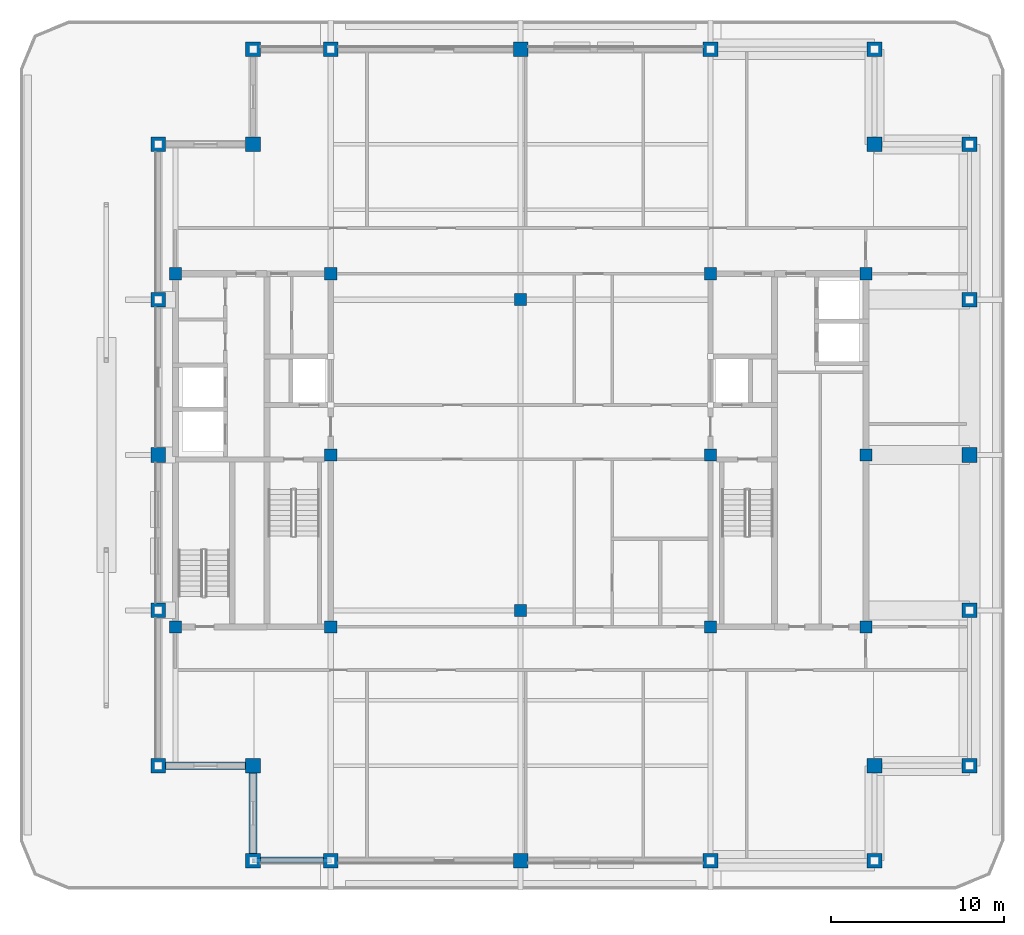
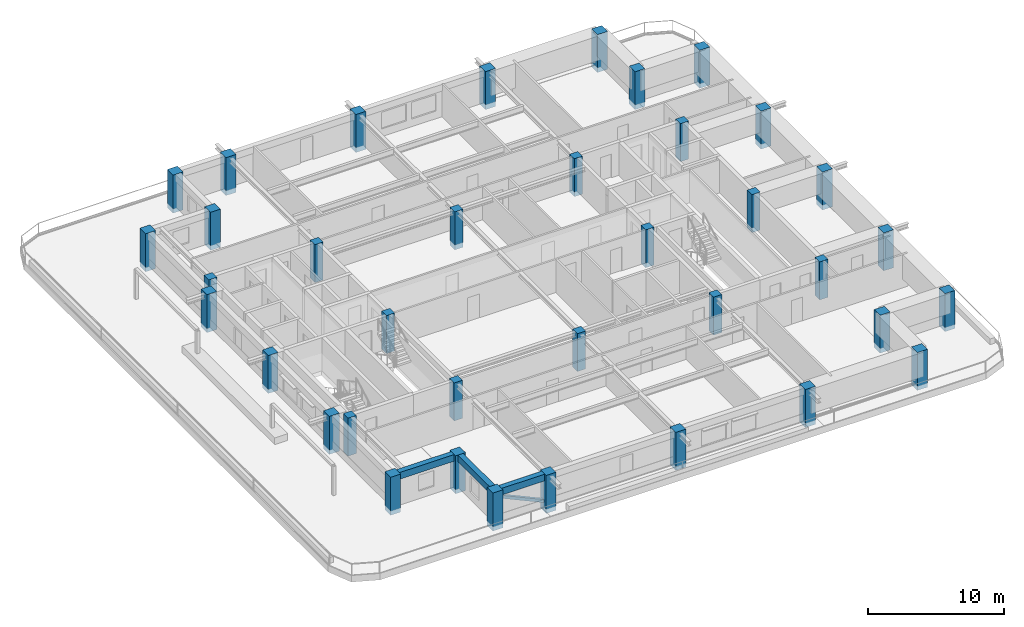
# One storey, part 1 of 14: 37 columns, 3 beams, 1 member.
"""IFC4 building model written with IfcOpenShell, lengths in metres."""

from ifc_helpers import new_model, si_unit, direction, frame, origin, origin_2d, place, context, subcontext, project, spatial, rectangle, hollow_rectangle, extrude, material, material_profile, profile_set, type_object, element, save


model = new_model("IFC4")

# Units and contexts
model_context = context("Model", 3, precision=1e-05, world=origin(), true_north=direction((0.0, 1.0)))
body_context = subcontext(model_context, "Body", "Model", "MODEL_VIEW")
ifc_project = project(units=[si_unit("LENGTHUNIT", "METRE"), si_unit("AREAUNIT", "SQUARE_METRE"), si_unit("VOLUMEUNIT", "CUBIC_METRE"), si_unit("PLANEANGLEUNIT", "RADIAN"), si_unit("MASSUNIT", "GRAM", prefix="KILO")], contexts=[model_context])

# Site, building, storey
site_placement = place(None, origin())
site = spatial("IfcSite", under=ifc_project, at=site_placement, CompositionType="ELEMENT")
building_placement = place(site_placement, origin())
building = spatial("IfcBuilding", under=site, at=building_placement, Name="Zulmaris Gate Convention Tower", CompositionType="ELEMENT")
storey_placement = place(building_placement, frame((0.0, 0.0, 226.820068359375)))
storey = spatial("IfcBuildingStorey", under=building, at=storey_placement, Name="L59", CompositionType="ELEMENT", Elevation=226.820068359375)

# Columns
ifc_material_1 = material(Name="Concrete C50/60", Category="concrete")
ifc_material_profile_1 = material_profile(ifc_material_1, rectangle(XDim=0.699951171875, YDim=0.699951171875, at=origin_2d()), Name="RC COL 700x700")
ifc_profile_set_1 = profile_set([ifc_material_profile_1], Name="Concrete C50/60")
column_type_1 = type_object("IfcColumnType", Name="COL-RC700", PredefinedType="COLUMN", material=ifc_profile_set_1)
for number, where, z_axis, x_axis, name in (
    (1, (-20.0, -9.949951171875, -0.425048828125), (0.0, 0.0, 1.0), (1.0, 0.0, 0.0), "L59 Column IN--20.00_-9.95"),
    (2, (-20.0, 10.5, -0.425048828125), (0.0, 0.0, 1.0), (1.0, 0.0, 0.0), "L59 Column IN--20.00_+10.50"),
    (3, (-11.0, -9.949951171875, -0.425048828125), (0.0, 0.0, 1.0), (1.0, 0.0, 0.0), "L59 Column IN--11.00_-9.95"),
    (4, (-11.0, 0.0, -0.425048828125), (0.0, 0.0, 1.0), (1.0, 0.0, 0.0), "L59 Column IN--11.00_+0.00"),
    (5, (-11.0, 10.5, -0.425048828125), (0.0, 0.0, 1.0), (1.0, 0.0, 0.0), "L59 Column IN--11.00_+10.50"),
    (6, (11.0, -9.949951171875, -0.425048828125), (0.0, 0.0, 1.0), (1.0, 0.0, 0.0), "L59 Column IN-+11.00_-9.95"),
    (7, (11.0, 0.0, -0.425048828125), (0.0, 0.0, 1.0), (1.0, 0.0, 0.0), "L59 Column IN-+11.00_+0.00"),
    (8, (11.0, 10.5, -0.425048828125), (0.0, 0.0, 1.0), (1.0, 0.0, 0.0), "L59 Column IN-+11.00_+10.50"),
    (9, (20.0, -9.949951171875, -0.425048828125), (0.0, 0.0, 1.0), (1.0, 0.0, 0.0), "L59 Column IN-+20.00_-9.95"),
    (10, (20.0, 10.5, -0.425048828125), (0.0, 0.0, 1.0), (1.0, 0.0, 0.0), "L59 Column IN-+20.00_+10.50"),
    (11, (0.0, -9.0, -0.425048828125), (0.0, 0.0, 1.0), (1.0, 0.0, 0.0), "L59 Column IN-+0.00_-9.00"),
    (12, (0.0, 9.0, -0.425048828125), (0.0, 0.0, 1.0), (1.0, 0.0, 0.0), "L59 Column IN-+0.00_+9.00"),
    (13, (20.0, 0.0, -0.425048828125), (0.0, 0.0, 1.0), (1.0, 0.0, 0.0), "L59 Column IN-+20.00_+0.00"),
):
    element("IfcColumn", number, at=place(storey_placement, frame(where, z_axis=z_axis, x_axis=x_axis)), inside=storey, type_object=column_type_1, Name=name, PredefinedType="COLUMN", context=body_context, shape_type="SweptSolid", body=[
        extrude(rectangle(XDim=0.699951171875, YDim=0.699951171875, at=origin_2d()), origin(), (0.0, 0.0, 1.0), 3.405029296875),
    ])
ifc_material_2 = material(Name="Concrete C60/75", Category="concrete")
ifc_material_profile_2 = material_profile(ifc_material_2, rectangle(XDim=0.85009765625, YDim=0.85009765625, at=origin_2d()), Name="RC COL 850x850")
ifc_profile_set_2 = profile_set([ifc_material_profile_2], Name="Concrete C60/75")
column_type_2 = type_object("IfcColumnType", Name="COL-RC850", PredefinedType="COLUMN", material=ifc_profile_set_2)
for number, where, z_axis, x_axis, name in (
    (14, (-15.5, -23.5, -0.425048828125), (0.0, 0.0, 1.0), (1.0, 0.0, 0.0), "L59 Column PT--15.50_-23.50"),
    (15, (-11.0, -23.5, -0.425048828125), (0.0, 0.0, 1.0), (1.0, 0.0, 0.0), "L59 Column PT--11.00_-23.50"),
    (16, (0.0, -23.5, -0.425048828125), (0.0, 0.0, 1.0), (1.0, 0.0, 0.0), "L59 Column PT-+0.00_-23.50"),
    (17, (11.0, -23.5, -0.425048828125), (0.0, 0.0, 1.0), (1.0, 0.0, 0.0), "L59 Column PT-+11.00_-23.50"),
    (18, (20.5, -23.5, -0.425048828125), (0.0, 0.0, 1.0), (1.0, 0.0, 0.0), "L59 Column PT-+20.50_-23.50"),
    (19, (-15.5, 23.5, -0.425048828125), (0.0, 0.0, 1.0), (1.0, 0.0, 0.0), "L59 Column PT--15.50_+23.50"),
    (20, (-11.0, 23.5, -0.425048828125), (0.0, 0.0, 1.0), (1.0, 0.0, 0.0), "L59 Column PT--11.00_+23.50"),
    (21, (0.0, 23.5, -0.425048828125), (0.0, 0.0, 1.0), (1.0, 0.0, 0.0), "L59 Column PT-+0.00_+23.50"),
    (22, (11.0, 23.5, -0.425048828125), (0.0, 0.0, 1.0), (1.0, 0.0, 0.0), "L59 Column PT-+11.00_+23.50"),
    (23, (20.5, 23.5, -0.425048828125), (0.0, 0.0, 1.0), (1.0, 0.0, 0.0), "L59 Column PT-+20.50_+23.50"),
    (24, (-21.0, -18.0, -0.425048828125), (0.0, 0.0, 1.0), (1.0, 0.0, 0.0), "L59 Column PT--21.00_-18.00"),
    (25, (-21.0, -9.0, -0.425048828125), (0.0, 0.0, 1.0), (1.0, 0.0, 0.0), "L59 Column PT--21.00_-9.00"),
    (26, (-21.0, 0.0, -0.425048828125), (0.0, 0.0, 1.0), (1.0, 0.0, 0.0), "L59 Column PT--21.00_+0.00"),
    (27, (-21.0, 9.0, -0.425048828125), (0.0, 0.0, 1.0), (1.0, 0.0, 0.0), "L59 Column PT--21.00_+9.00"),
    (28, (-21.0, 18.0, -0.425048828125), (0.0, 0.0, 1.0), (1.0, 0.0, 0.0), "L59 Column PT--21.00_+18.00"),
    (29, (26.0, -18.0, -0.425048828125), (0.0, 0.0, 1.0), (1.0, 0.0, 0.0), "L59 Column PT-+26.00_-18.00"),
    (30, (26.0, -9.0, -0.425048828125), (0.0, 0.0, 1.0), (1.0, 0.0, 0.0), "L59 Column PT-+26.00_-9.00"),
    (31, (26.0, 0.0, -0.425048828125), (0.0, 0.0, 1.0), (1.0, 0.0, 0.0), "L59 Column PT-+26.00_+0.00"),
    (32, (26.0, 9.0, -0.425048828125), (0.0, 0.0, 1.0), (1.0, 0.0, 0.0), "L59 Column PT-+26.00_+9.00"),
    (33, (26.0, 18.0, -0.425048828125), (0.0, 0.0, 1.0), (1.0, 0.0, 0.0), "L59 Column PT-+26.00_+18.00"),
    (34, (-15.5, -18.0, -0.425048828125), (0.0, 0.0, 1.0), (1.0, 0.0, 0.0), "L59 Column PT--15.50_-18.00"),
    (35, (20.5, -18.0, -0.425048828125), (0.0, 0.0, 1.0), (1.0, 0.0, 0.0), "L59 Column PT-+20.50_-18.00"),
    (36, (20.5, 18.0, -0.425048828125), (0.0, 0.0, 1.0), (1.0, 0.0, 0.0), "L59 Column PT-+20.50_+18.00"),
    (37, (-15.5, 18.0, -0.425048828125), (0.0, 0.0, 1.0), (1.0, 0.0, 0.0), "L59 Column PT--15.50_+18.00"),
):
    element("IfcColumn", number, at=place(storey_placement, frame(where, z_axis=z_axis, x_axis=x_axis)), inside=storey, type_object=column_type_2, Name=name, PredefinedType="COLUMN", context=body_context, shape_type="SweptSolid", body=[
        extrude(rectangle(XDim=0.85009765625, YDim=0.85009765625, at=origin_2d()), origin(), (0.0, 0.0, 1.0), 3.405029296875),
    ])

# Beams
ifc_material_3 = material(Name="Precast concrete C50/60", Category="concrete")
ifc_material_profile_3 = material_profile(ifc_material_3, rectangle(XDim=0.449951171875, YDim=0.60009765625, at=origin_2d()), Name="RC SPANDREL 450x600")
ifc_profile_set_3 = profile_set([ifc_material_profile_3], Name="Precast concrete C50/60")
beam_type = type_object("IfcBeamType", Name="BM-SP450x600", PredefinedType="SPANDREL", material=ifc_profile_set_3)
beam_placement = place(storey_placement, frame((-15.5, -23.5, 2.679931640625), z_axis=(1.0, 0.0, 0.0), x_axis=(0.0, 1.0, 0.0)))
element("IfcBeam", 38, at=beam_placement, inside=storey, type_object=beam_type, Name="L59 Spandrel SP-L59-01", PredefinedType="SPANDREL", context=body_context, shape_type="SweptSolid", body=[
    extrude(rectangle(XDim=0.449951171875, YDim=0.60009765625, at=origin_2d()), origin(), (0.0, 0.0, 1.0), 4.5),
])
for number, where, z_axis, x_axis, name in (
    (39, (-21.0, -18.0, 2.679931640625), (1.0, 0.0, 0.0), (0.0, 1.0, 0.0), "L59 Spandrel SP-L59-23"),
    (40, (-15.5, -18.0, 2.679931640625), (0.0, -1.0, 0.0), (1.0, 0.0, 0.0), "L59 Spandrel SP-L59-24"),
):
    element("IfcBeam", number, at=place(storey_placement, frame(where, z_axis=z_axis, x_axis=x_axis)), inside=storey, type_object=beam_type, Name=name, PredefinedType="SPANDREL", context=body_context, shape_type="SweptSolid", body=[
        extrude(rectangle(XDim=0.449951171875, YDim=0.60009765625, at=origin_2d()), origin(), (0.0, 0.0, 1.0), 5.5),
    ])

# Member
ifc_material_4 = material(Name="Steel S355", Category="steel")
ifc_material_profile_4 = material_profile(ifc_material_4, hollow_rectangle(XDim=0.25, YDim=0.25, WallThickness=0.012451171875, at=origin_2d()), Name="SHS 250x250x12.5")
ifc_profile_set_4 = profile_set([ifc_material_profile_4], Name="Steel S355")
member_type = type_object("IfcMemberType", Name="BR-SHS250", PredefinedType="BRACE", material=ifc_profile_set_4)
member_placement = place(storey_placement, frame((-11.0, -23.5, 0.300048828125), z_axis=(-0.909270246609, 0.0, 0.41620622128), x_axis=(0.0, -1.0, 0.0)))
element("IfcMember", 41, at=member_placement, inside=storey, type_object=member_type, Name="L59 Perimeter Tube Diagonal SW-S", PredefinedType="BRACE", context=body_context, shape_type="SweptSolid", body=[
    extrude(hollow_rectangle(XDim=0.25, YDim=0.25, WallThickness=0.012451171875, at=origin_2d()), origin(), (0.0, 0.0, 1.0), 4.948974609375),
])

save(model, "model.ifc")
